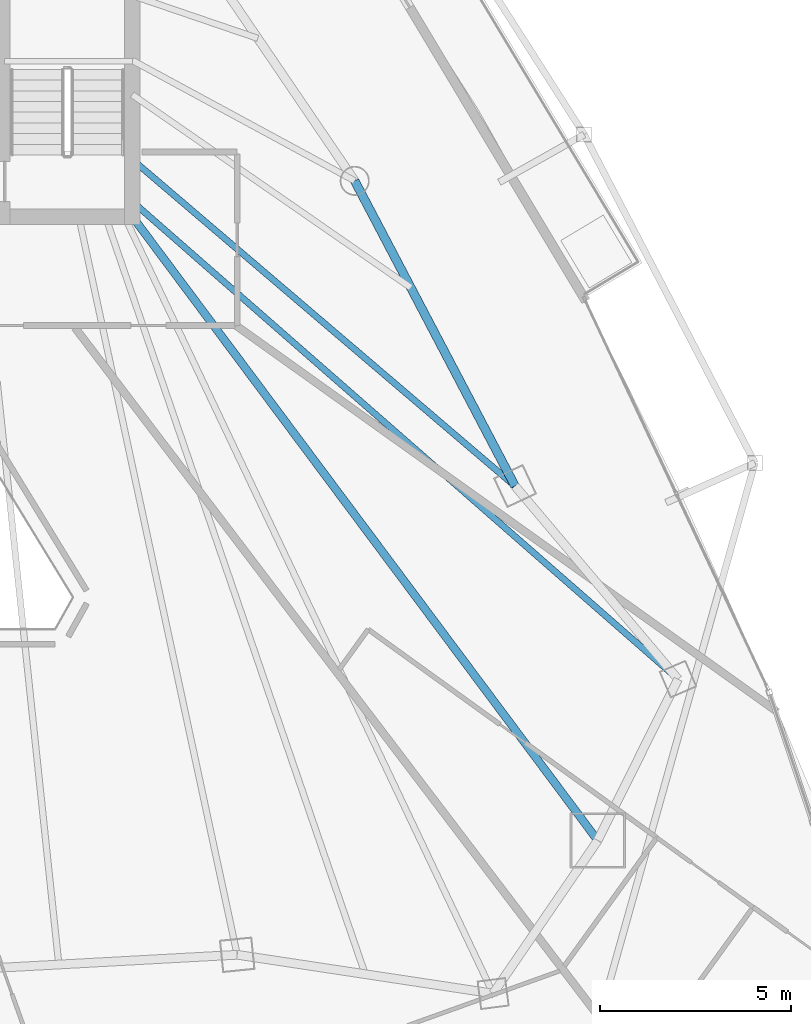
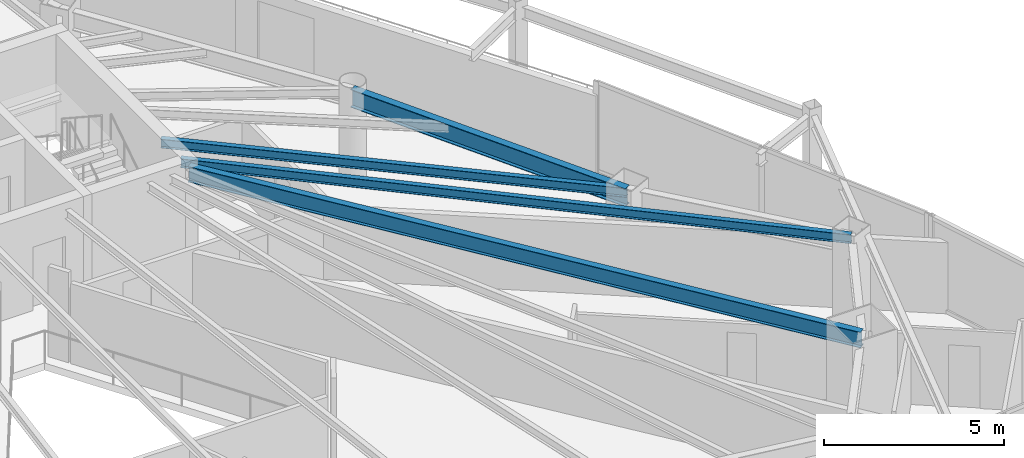
# One storey, part 15 of 30: 4 beams.
"""IFC4 building model written with IfcOpenShell, lengths in metres."""

import ifcopenshell
import ifcopenshell.guid

model = None  # the IFC model being written
_history = None  # IfcOwnerHistory: only IFC2X3 demands one
_inside = {}  # id of a spatial element -> (the spatial element, [elements in it])
_under = {}  # id of a project, library or spatial element -> (it, [spatial elements below it])
_declared = {}  # id of a project -> (the project, [libraries it declares])
_typed = {}  # id of a type object -> (the type object, [elements of that type])
_made_of = {}  # id of a material, layer set ... -> (it, [elements and type objects made of it])


def new_model(schema):
    """Start an empty IFC model of exactly this schema.

    Asked for "IFC4X3", IfcOpenShell would pick the latest addendum, in which some entities
    have other attributes; the version numbers below select the first issue.
    IFC2X3 requires an IfcOwnerHistory on every rooted entity: one is made here for all.
    """
    global model, _history
    if schema == "IFC4X3":
        model = ifcopenshell.file(schema_version=(4, 3, 0, 0))
    else:
        model = ifcopenshell.file(schema=schema)
    _inside.clear()
    _under.clear()
    _declared.clear()
    _typed.clear()
    _made_of.clear()
    _history = None
    if model.schema == "IFC2X3":
        org = make("IfcOrganization", Name="unknown")
        user = make(
            "IfcPersonAndOrganization",
            ThePerson=make("IfcPerson", FamilyName="unknown"),
            TheOrganization=org,
        )
        app = make(
            "IfcApplication",
            ApplicationDeveloper=org,
            Version="unknown",
            ApplicationFullName="unknown",
            ApplicationIdentifier="unknown",
        )
        _history = make(
            "IfcOwnerHistory",
            OwningUser=user,
            OwningApplication=app,
            ChangeAction="ADDED",
            CreationDate=0,
        )
    return model


def make(cls, **values):
    """One entity of the class cls with the attributes given. An attribute that is None is left unset."""
    return model.create_entity(
        cls, **{name: value for name, value in values.items() if value is not None}
    )


def rooted(cls, **values):
    """An entity with a GlobalId (a new one), such as an element, a storey or a relation."""
    return make(cls, GlobalId=ifcopenshell.guid.new(), OwnerHistory=_history, **values)


def si_unit(unit_type, name, prefix=None):
    """IfcSIUnit, for example si_unit("LENGTHUNIT", "METRE", prefix="MILLI")."""
    return make("IfcSIUnit", UnitType=unit_type, Prefix=prefix, Name=name)


def assignment(units):
    """IfcUnitAssignment: the units of a project."""
    return None if units is None else make("IfcUnitAssignment", Units=units)


def point(xyz):
    """IfcCartesianPoint."""
    return None if xyz is None else make("IfcCartesianPoint", Coordinates=xyz)


def direction(xyz):
    """IfcDirection."""
    return None if xyz is None else make("IfcDirection", DirectionRatios=xyz)


def frame(location, z_axis=None, x_axis=None):
    """IfcAxis2Placement3D, a coordinate frame: its origin and axes. An axis left out is left unset."""
    return make(
        "IfcAxis2Placement3D",
        Location=point(location),
        Axis=direction(z_axis),
        RefDirection=direction(x_axis),
    )


def frame_2d(location, x_axis=None):
    """IfcAxis2Placement2D, a coordinate frame in the plane: its origin and x axis."""
    return make(
        "IfcAxis2Placement2D", Location=point(location), RefDirection=direction(x_axis)
    )


def origin():
    """The frame at (0, 0, 0) with its axes left unset."""
    return frame((0.0, 0.0, 0.0))


def origin_2d():
    """The frame at (0, 0) in the plane with its x axis left unset."""
    return frame_2d((0.0, 0.0))


def place(relative_to, where):
    """IfcLocalPlacement: puts the frame where relative to a parent placement (None: the world)."""
    return make(
        "IfcLocalPlacement", PlacementRelTo=relative_to, RelativePlacement=where
    )


def context(
    kind, dimensions, precision=None, world=None, true_north=None, identifier=None
):
    """IfcGeometricRepresentationContext, for example the 3D "Model" context."""
    return make(
        "IfcGeometricRepresentationContext",
        ContextIdentifier=identifier,
        ContextType=kind,
        CoordinateSpaceDimension=dimensions,
        Precision=precision,
        WorldCoordinateSystem=world,
        TrueNorth=true_north,
    )


def subcontext(parent, identifier, kind, view, scale=None):
    """IfcGeometricRepresentationSubContext, for example "Body" below "Model"."""
    return make(
        "IfcGeometricRepresentationSubContext",
        ContextIdentifier=identifier,
        ContextType=kind,
        ParentContext=parent,
        TargetScale=scale,
        TargetView=view,
    )


def project(units=None, contexts=None):
    """IfcProject with its units and contexts."""
    return rooted(
        "IfcProject",
        Name="project",
        RepresentationContexts=contexts,
        UnitsInContext=assignment(units),
    )


def spatial(cls, under=None, at=None, **own):
    """A site, building, storey or space (cls), placed at a placement, below another one or the project."""
    s = rooted(cls, ObjectPlacement=at, **own)
    if under is not None:
        _under.setdefault(under.id(), (under, []))[1].append(s)
    return s


def profile(cls, at=None, kind="AREA", **sizes):
    """A parametric profile (cls). Its sizes go by their IFC names, for example OverallWidth=200.0."""
    return make(cls, ProfileType=kind, Position=at, **sizes)


def i_section(**sizes):
    """IfcIShapeProfileDef."""
    return profile("IfcIShapeProfileDef", **sizes)


def extrude(swept, where, along, depth):
    """IfcExtrudedAreaSolid: the profile swept, set in the frame where, extruded along a direction by depth."""
    return make(
        "IfcExtrudedAreaSolid",
        SweptArea=swept,
        Position=where,
        ExtrudedDirection=direction(along),
        Depth=depth,
    )


def shape(context_of_items, identifier, shape_type, items):
    """IfcShapeRepresentation: the items that make up one representation, for example the "Body"."""
    return make(
        "IfcShapeRepresentation",
        ContextOfItems=context_of_items,
        RepresentationIdentifier=identifier,
        RepresentationType=shape_type,
        Items=items,
    )


def material(Name=None, Category=None):
    """IfcMaterial."""
    return make("IfcMaterial", Name=Name, Category=Category)


def material_profile(
    of_material, cross_section, Name=None, Category=None, Priority=None
):
    """IfcMaterialProfile: a cross section and its material."""
    return make(
        "IfcMaterialProfile",
        Name=Name,
        Material=of_material,
        Profile=cross_section,
        Priority=Priority,
        Category=Category,
    )


def profile_set(profiles, Name=None, composite=None):
    """IfcMaterialProfileSet."""
    return make(
        "IfcMaterialProfileSet",
        Name=Name,
        MaterialProfiles=profiles,
        CompositeProfile=composite,
    )


def made_of(thing, what):
    """Note that an element or type object is made of a material, layer set ...; save() writes the relation."""
    if what is not None:
        _made_of.setdefault(what.id(), (what, []))[1].append(thing)
    return thing


def type_object(cls, material=None, **own):
    """A type object (cls), such as IfcWallType, which elements share."""
    return made_of(rooted(cls, **own), material)


def element(
    cls,
    number,
    at=None,
    inside=None,
    cuts=None,
    type_object=None,
    material=None,
    context=None,
    identifier="Body",
    shape_type=None,
    held_by="IfcProductDefinitionShape",
    body=None,
    shapes=None,
    **own,
):
    """One element of the class cls, such as IfcWall. Its Tag is "e" and its number.

    at: its placement. inside: the storey or other place that contains it. cuts: it is an
    opening in that element (IfcRelVoidsElement). A single representation is given by context,
    identifier, shape_type and body (its items); several are given by shapes. held_by: the class
    of the entity that holds the representations. save() writes the other relations.
    """
    e = rooted(cls, Tag="e%d" % number, ObjectPlacement=at, **own)
    if body is not None:
        shapes = [shape(context, identifier, shape_type, body)]
    if shapes is not None:
        e.Representation = make(held_by, Representations=shapes)
    if inside is not None:
        _inside.setdefault(inside.id(), (inside, []))[1].append(e)
    if cuts is not None:
        rooted(
            "IfcRelVoidsElement", RelatingBuildingElement=cuts, RelatedOpeningElement=e
        )
    if type_object is not None:
        _typed.setdefault(type_object.id(), (type_object, []))[1].append(e)
    return made_of(e, material)


def aggregate(whole, parts):
    """IfcRelAggregates: a whole, such as a stair, and the parts it consists of."""
    return rooted("IfcRelAggregates", RelatingObject=whole, RelatedObjects=parts)


def save(model, path):
    """Write the relations noted so far, then the file.

    IfcRelAggregates (storeys below a building ...), IfcRelContainedInSpatialStructure (elements
    in a storey), IfcRelDefinesByType, IfcRelAssociatesMaterial and IfcRelDeclares: one each for
    every whole, place, type object, material and project.
    """
    for whole, parts in _under.values():
        aggregate(whole, parts)
    for where, things in _inside.values():
        rooted(
            "IfcRelContainedInSpatialStructure",
            RelatedElements=things,
            RelatingStructure=where,
        )
    for kind, things in _typed.values():
        rooted("IfcRelDefinesByType", RelatedObjects=things, RelatingType=kind)
    for what, things in _made_of.values():
        rooted("IfcRelAssociatesMaterial", RelatedObjects=things, RelatingMaterial=what)
    for by, libraries in _declared.values():
        rooted("IfcRelDeclares", RelatingContext=by, RelatedDefinitions=libraries)
    model.write(path)


model = new_model("IFC4")

# Units and contexts
model_context = context("Model", 3, precision=1e-05, world=origin(), true_north=direction((0.0, 1.0)))
body_context = subcontext(model_context, "Body", "Model", "MODEL_VIEW")
ifc_project = project(units=[si_unit("LENGTHUNIT", "METRE"), si_unit("AREAUNIT", "SQUARE_METRE"), si_unit("VOLUMEUNIT", "CUBIC_METRE"), si_unit("PLANEANGLEUNIT", "RADIAN"), si_unit("MASSUNIT", "GRAM", prefix="KILO")], contexts=[model_context])

# Site, building, storey
site_placement = place(None, origin())
site = spatial("IfcSite", under=ifc_project, at=site_placement, CompositionType="ELEMENT")
building_placement = place(site_placement, origin())
building = spatial("IfcBuilding", under=site, at=building_placement, Name="Orvanel Arch Residences", CompositionType="ELEMENT")
storey_placement = place(building_placement, frame((0.0, 0.0, 139.699951171875)))
storey = spatial("IfcBuildingStorey", under=building, at=storey_placement, Name="L39", CompositionType="ELEMENT", Elevation=139.699951171875)

# Beams
ifc_material = material(Name="Structural steel AS/NZS 3679.1 Grade 300 (300 MPa)", Category="steel")
ifc_material_profile_1 = material_profile(ifc_material, i_section(OverallWidth=0.208984375, OverallDepth=0.532958984375, WebThickness=0.01025390625, FlangeThickness=0.015625, at=origin_2d()), Name="530UB92.4")
ifc_profile_set_1 = profile_set([ifc_material_profile_1], Name="Structural steel AS/NZS 3679.1 Grade 300 (300 MPa)")
beam_type_1 = type_object("IfcBeamType", Name="BG-530UB", PredefinedType="BEAM", material=ifc_profile_set_1)
beam_1_placement = place(storey_placement, frame((39.625, 26.675048828125, 2.79296875), z_axis=(0.597893733742, -0.801575375839, 0.0), x_axis=(0.801575375839, 0.597893733742, 0.0)))
element("IfcBeam", 1, at=beam_1_placement, inside=storey, type_object=beam_type_1, Name="L39 South-East Radial Girder", PredefinedType="BEAM", context=body_context, shape_type="SweptSolid", body=[
    extrude(i_section(OverallWidth=0.208984375, OverallDepth=0.532958984375, WebThickness=0.01025390625, FlangeThickness=0.015625, at=origin_2d()), origin(), (0.0, 0.0, 1.0), 20.36474609375),
])
ifc_material_profile_2 = material_profile(ifc_material, i_section(OverallWidth=0.1650390625, OverallDepth=0.303955078125, WebThickness=0.006103515625, FlangeThickness=0.01025390625, at=origin_2d()), Name="310UB40.4")
ifc_profile_set_2 = profile_set([ifc_material_profile_2], Name="Structural steel AS/NZS 3679.1 Grade 300 (300 MPa)")
beam_type_2 = type_object("IfcBeamType", Name="BJ-310UB", PredefinedType="JOIST", material=ifc_profile_set_2)
beam_2_placement = place(storey_placement, frame((39.60009765625, 28.199951171875, 2.907958984375), z_axis=(0.760821315761, -0.648961420644, 0.0), x_axis=(0.648961420644, 0.760821315761, 0.0)))
element("IfcBeam", 2, at=beam_2_placement, inside=storey, type_object=beam_type_2, Name="L39 E Wing Floor Joist", PredefinedType="JOIST", context=body_context, shape_type="SweptSolid", body=[
    extrude(i_section(OverallWidth=0.1650390625, OverallDepth=0.303955078125, WebThickness=0.006103515625, FlangeThickness=0.01025390625, at=origin_2d()), origin(), (0.0, 0.0, 1.0), 13.18701171875),
])
beam_3_placement = place(storey_placement, frame((39.60009765625, 27.10009765625, 2.907958984375), z_axis=(0.752493154183, -0.658600070534, 0.0), x_axis=(0.658600070534, 0.752493154183, 0.0)))
element("IfcBeam", 3, at=beam_3_placement, inside=storey, type_object=beam_type_2, Name="L39 ME Wing Floor Joist", PredefinedType="JOIST", context=body_context, shape_type="SweptSolid", body=[
    extrude(i_section(OverallWidth=0.1650390625, OverallDepth=0.303955078125, WebThickness=0.006103515625, FlangeThickness=0.01025390625, at=origin_2d()), origin(), (0.0, 0.0, 1.0), 19.010009765625),
])
ifc_material_profile_3 = material_profile(ifc_material, i_section(OverallWidth=0.22900390625, OverallDepth=0.612060546875, WebThickness=0.011962890625, FlangeThickness=0.01953125, at=origin_2d()), Name="610UB125")
ifc_profile_set_3 = profile_set([ifc_material_profile_3], Name="Structural steel AS/NZS 3679.1 Grade 300 (300 MPa)")
beam_type_3 = type_object("IfcBeamType", Name="SP-610UB", PredefinedType="SPANDREL", material=ifc_profile_set_3)
beam_4_placement = place(storey_placement, frame((49.633056640625, 19.64208984375, 2.754150390625), z_axis=(-0.465064762793, 0.885276660942, 0.0), x_axis=(-0.885276660942, -0.465064762793, 0.0)))
element("IfcBeam", 4, at=beam_4_placement, inside=storey, type_object=beam_type_3, Name="L39 Perimeter Spandrel Beam 11", PredefinedType="SPANDREL", context=body_context, shape_type="SweptSolid", body=[
    extrude(i_section(OverallWidth=0.22900390625, OverallDepth=0.612060546875, WebThickness=0.011962890625, FlangeThickness=0.01953125, at=origin_2d()), origin(), (0.0, 0.0, 1.0), 9.03564453125),
])

save(model, "model.ifc")
